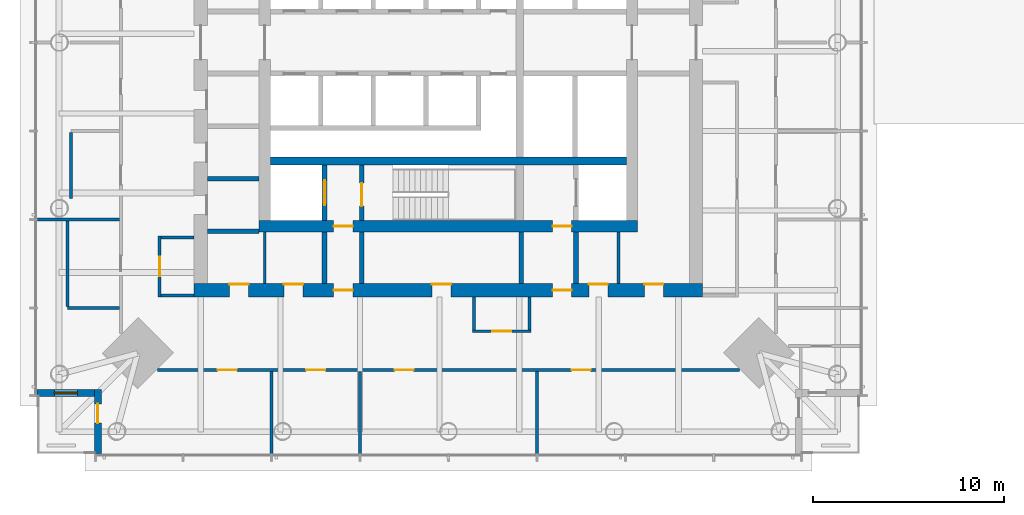
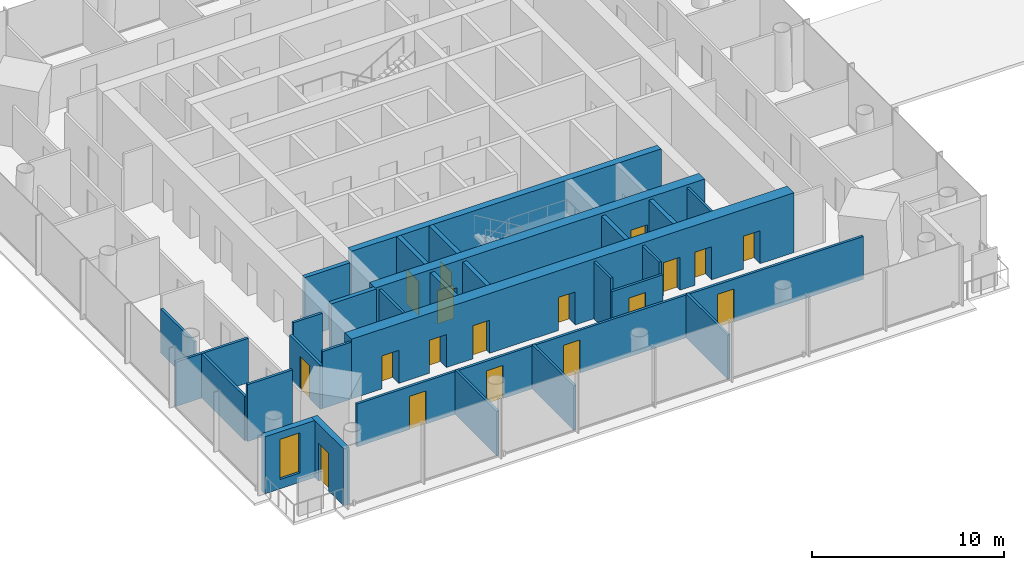
# One storey, part 5 of 16: 29 walls, 18 doors, 1 window, 19 openings.
"""IFC4 building model written with IfcOpenShell, lengths in metres."""

import ifcopenshell
import ifcopenshell.guid

model = None  # the IFC model being written
_history = None  # IfcOwnerHistory: only IFC2X3 demands one
_inside = {}  # id of a spatial element -> (the spatial element, [elements in it])
_under = {}  # id of a project, library or spatial element -> (it, [spatial elements below it])
_declared = {}  # id of a project -> (the project, [libraries it declares])
_typed = {}  # id of a type object -> (the type object, [elements of that type])
_made_of = {}  # id of a material, layer set ... -> (it, [elements and type objects made of it])


def new_model(schema):
    """Start an empty IFC model of exactly this schema.

    Asked for "IFC4X3", IfcOpenShell would pick the latest addendum, in which some entities
    have other attributes; the version numbers below select the first issue.
    IFC2X3 requires an IfcOwnerHistory on every rooted entity: one is made here for all.
    """
    global model, _history
    if schema == "IFC4X3":
        model = ifcopenshell.file(schema_version=(4, 3, 0, 0))
    else:
        model = ifcopenshell.file(schema=schema)
    _inside.clear()
    _under.clear()
    _declared.clear()
    _typed.clear()
    _made_of.clear()
    _history = None
    if model.schema == "IFC2X3":
        org = make("IfcOrganization", Name="unknown")
        user = make(
            "IfcPersonAndOrganization",
            ThePerson=make("IfcPerson", FamilyName="unknown"),
            TheOrganization=org,
        )
        app = make(
            "IfcApplication",
            ApplicationDeveloper=org,
            Version="unknown",
            ApplicationFullName="unknown",
            ApplicationIdentifier="unknown",
        )
        _history = make(
            "IfcOwnerHistory",
            OwningUser=user,
            OwningApplication=app,
            ChangeAction="ADDED",
            CreationDate=0,
        )
    return model


def make(cls, **values):
    """One entity of the class cls with the attributes given. An attribute that is None is left unset."""
    return model.create_entity(
        cls, **{name: value for name, value in values.items() if value is not None}
    )


def rooted(cls, **values):
    """An entity with a GlobalId (a new one), such as an element, a storey or a relation."""
    return make(cls, GlobalId=ifcopenshell.guid.new(), OwnerHistory=_history, **values)


def si_unit(unit_type, name, prefix=None):
    """IfcSIUnit, for example si_unit("LENGTHUNIT", "METRE", prefix="MILLI")."""
    return make("IfcSIUnit", UnitType=unit_type, Prefix=prefix, Name=name)


def assignment(units):
    """IfcUnitAssignment: the units of a project."""
    return None if units is None else make("IfcUnitAssignment", Units=units)


def point(xyz):
    """IfcCartesianPoint."""
    return None if xyz is None else make("IfcCartesianPoint", Coordinates=xyz)


def direction(xyz):
    """IfcDirection."""
    return None if xyz is None else make("IfcDirection", DirectionRatios=xyz)


def frame(location, z_axis=None, x_axis=None):
    """IfcAxis2Placement3D, a coordinate frame: its origin and axes. An axis left out is left unset."""
    return make(
        "IfcAxis2Placement3D",
        Location=point(location),
        Axis=direction(z_axis),
        RefDirection=direction(x_axis),
    )


def frame_2d(location, x_axis=None):
    """IfcAxis2Placement2D, a coordinate frame in the plane: its origin and x axis."""
    return make(
        "IfcAxis2Placement2D", Location=point(location), RefDirection=direction(x_axis)
    )


def origin():
    """The frame at (0, 0, 0) with its axes left unset."""
    return frame((0.0, 0.0, 0.0))


def place(relative_to, where):
    """IfcLocalPlacement: puts the frame where relative to a parent placement (None: the world)."""
    return make(
        "IfcLocalPlacement", PlacementRelTo=relative_to, RelativePlacement=where
    )


def context(
    kind, dimensions, precision=None, world=None, true_north=None, identifier=None
):
    """IfcGeometricRepresentationContext, for example the 3D "Model" context."""
    return make(
        "IfcGeometricRepresentationContext",
        ContextIdentifier=identifier,
        ContextType=kind,
        CoordinateSpaceDimension=dimensions,
        Precision=precision,
        WorldCoordinateSystem=world,
        TrueNorth=true_north,
    )


def subcontext(parent, identifier, kind, view, scale=None):
    """IfcGeometricRepresentationSubContext, for example "Body" below "Model"."""
    return make(
        "IfcGeometricRepresentationSubContext",
        ContextIdentifier=identifier,
        ContextType=kind,
        ParentContext=parent,
        TargetScale=scale,
        TargetView=view,
    )


def project(units=None, contexts=None):
    """IfcProject with its units and contexts."""
    return rooted(
        "IfcProject",
        Name="project",
        RepresentationContexts=contexts,
        UnitsInContext=assignment(units),
    )


def spatial(cls, under=None, at=None, **own):
    """A site, building, storey or space (cls), placed at a placement, below another one or the project."""
    s = rooted(cls, ObjectPlacement=at, **own)
    if under is not None:
        _under.setdefault(under.id(), (under, []))[1].append(s)
    return s


def profile(cls, at=None, kind="AREA", **sizes):
    """A parametric profile (cls). Its sizes go by their IFC names, for example OverallWidth=200.0."""
    return make(cls, ProfileType=kind, Position=at, **sizes)


def rectangle(**sizes):
    """IfcRectangleProfileDef."""
    return profile("IfcRectangleProfileDef", **sizes)


def extrude(swept, where, along, depth):
    """IfcExtrudedAreaSolid: the profile swept, set in the frame where, extruded along a direction by depth."""
    return make(
        "IfcExtrudedAreaSolid",
        SweptArea=swept,
        Position=where,
        ExtrudedDirection=direction(along),
        Depth=depth,
    )


def shape(context_of_items, identifier, shape_type, items):
    """IfcShapeRepresentation: the items that make up one representation, for example the "Body"."""
    return make(
        "IfcShapeRepresentation",
        ContextOfItems=context_of_items,
        RepresentationIdentifier=identifier,
        RepresentationType=shape_type,
        Items=items,
    )


def material(Name=None, Category=None):
    """IfcMaterial."""
    return make("IfcMaterial", Name=Name, Category=Category)


def layer(
    of_material, thickness, ventilated=None, Name=None, Category=None, Priority=None
):
    """IfcMaterialLayer: one layer of a wall or slab, of a material (None: an air gap)."""
    return make(
        "IfcMaterialLayer",
        Material=of_material,
        LayerThickness=thickness,
        IsVentilated=ventilated,
        Name=Name,
        Category=Category,
        Priority=Priority,
    )


def layer_set(layers, Name=None):
    """IfcMaterialLayerSet."""
    return make("IfcMaterialLayerSet", MaterialLayers=layers, LayerSetName=Name)


def made_of(thing, what):
    """Note that an element or type object is made of a material, layer set ...; save() writes the relation."""
    if what is not None:
        _made_of.setdefault(what.id(), (what, []))[1].append(thing)
    return thing


def type_object(cls, material=None, **own):
    """A type object (cls), such as IfcWallType, which elements share."""
    return made_of(rooted(cls, **own), material)


def element(
    cls,
    number,
    at=None,
    inside=None,
    cuts=None,
    type_object=None,
    material=None,
    context=None,
    identifier="Body",
    shape_type=None,
    held_by="IfcProductDefinitionShape",
    body=None,
    shapes=None,
    **own,
):
    """One element of the class cls, such as IfcWall. Its Tag is "e" and its number.

    at: its placement. inside: the storey or other place that contains it. cuts: it is an
    opening in that element (IfcRelVoidsElement). A single representation is given by context,
    identifier, shape_type and body (its items); several are given by shapes. held_by: the class
    of the entity that holds the representations. save() writes the other relations.
    """
    e = rooted(cls, Tag="e%d" % number, ObjectPlacement=at, **own)
    if body is not None:
        shapes = [shape(context, identifier, shape_type, body)]
    if shapes is not None:
        e.Representation = make(held_by, Representations=shapes)
    if inside is not None:
        _inside.setdefault(inside.id(), (inside, []))[1].append(e)
    if cuts is not None:
        rooted(
            "IfcRelVoidsElement", RelatingBuildingElement=cuts, RelatedOpeningElement=e
        )
    if type_object is not None:
        _typed.setdefault(type_object.id(), (type_object, []))[1].append(e)
    return made_of(e, material)


def fill(opening, filler):
    """IfcRelFillsElement: the door or window that sits in an opening."""
    return rooted(
        "IfcRelFillsElement",
        RelatingOpeningElement=opening,
        RelatedBuildingElement=filler,
    )


def aggregate(whole, parts):
    """IfcRelAggregates: a whole, such as a stair, and the parts it consists of."""
    return rooted("IfcRelAggregates", RelatingObject=whole, RelatedObjects=parts)


def save(model, path):
    """Write the relations noted so far, then the file.

    IfcRelAggregates (storeys below a building ...), IfcRelContainedInSpatialStructure (elements
    in a storey), IfcRelDefinesByType, IfcRelAssociatesMaterial and IfcRelDeclares: one each for
    every whole, place, type object, material and project.
    """
    for whole, parts in _under.values():
        aggregate(whole, parts)
    for where, things in _inside.values():
        rooted(
            "IfcRelContainedInSpatialStructure",
            RelatedElements=things,
            RelatingStructure=where,
        )
    for kind, things in _typed.values():
        rooted("IfcRelDefinesByType", RelatedObjects=things, RelatingType=kind)
    for what, things in _made_of.values():
        rooted("IfcRelAssociatesMaterial", RelatedObjects=things, RelatingMaterial=what)
    for by, libraries in _declared.values():
        rooted("IfcRelDeclares", RelatingContext=by, RelatedDefinitions=libraries)
    model.write(path)


model = new_model("IFC4")

# Units and contexts
model_context = context("Model", 3, precision=1e-05, world=origin(), true_north=direction((0.0, 1.0)))
body_context = subcontext(model_context, "Body", "Model", "MODEL_VIEW")
ifc_project = project(units=[si_unit("LENGTHUNIT", "METRE"), si_unit("AREAUNIT", "SQUARE_METRE"), si_unit("VOLUMEUNIT", "CUBIC_METRE"), si_unit("PLANEANGLEUNIT", "RADIAN"), si_unit("MASSUNIT", "GRAM", prefix="KILO")], contexts=[model_context])

# Site, building, storey
site_placement = place(None, origin())
site = spatial("IfcSite", under=ifc_project, at=site_placement, CompositionType="ELEMENT")
building_placement = place(site_placement, origin())
building = spatial("IfcBuilding", under=site, at=building_placement, Name="Ostroluk Exchange", CompositionType="ELEMENT")
storey_placement = place(building_placement, frame((0.0, 0.0, 135.0)))
storey = spatial("IfcBuildingStorey", under=building, at=storey_placement, Name="L34", CompositionType="ELEMENT", Elevation=135.0)

# Walls
ifc_material_1 = material(Name="Concrete blockwork", Category="masonry")
ifc_layer_1 = layer(ifc_material_1, 0.14990234375)
ifc_layer_set_1 = layer_set([ifc_layer_1], Name="Blockwork plant room wall 150")
wall_type_1 = type_object("IfcWallType", Name="Blockwork plant room wall 150", PredefinedType="SOLIDWALL", material=ifc_layer_set_1)
for number, where, z_axis, x_axis, name in (
    (1, (35.39990234375, 33.39990234375, 0.0), (0.0, 0.0, 1.0), (0.0, 1.0, 0.0), "Core room wall"),
    (2, (53.887939453125, 33.39990234375, 0.0), (0.0, 0.0, 1.0), (0.0, 1.0, 0.0), "Core room wall"),
):
    element("IfcWall", number, at=place(storey_placement, frame(where, z_axis=z_axis, x_axis=x_axis)), inside=storey, type_object=wall_type_1, Name=name, PredefinedType="SOLIDWALL", context=body_context, shape_type="SweptSolid", body=[
        extrude(rectangle(XDim=2.7001953125, YDim=0.14990234375, at=frame_2d((1.35009765625, 0.0))), origin(), (0.0, 0.0, 1.0), 3.6201171875),
    ])
ifc_material_2 = material(Name="Concrete blockwork", Category="masonry")
ifc_layer_2 = layer(ifc_material_2, 0.25)
ifc_layer_set_2 = layer_set([ifc_layer_2], Name="Blockwork stair enclosure wall 250")
wall_type_2 = type_object("IfcWallType", Name="Blockwork stair enclosure wall 250", PredefinedType="SOLIDWALL", material=ifc_layer_set_2)
for number, where, z_axis, x_axis, name in (
    (3, (38.52490234375, 33.39990234375, 0.0), (0.0, 0.0, 1.0), (0.0, 1.0, 0.0), "Fire lobby enclosure wall"),
    (4, (40.47509765625, 33.39990234375, 0.0), (0.0, 0.0, 1.0), (0.0, 1.0, 0.0), "Fire lobby enclosure wall"),
    (5, (48.804931640625, 33.39990234375, 0.0), (0.0, 0.0, 1.0), (0.0, 1.0, 0.0), "Service lobby enclosure wall"),
    (6, (51.675048828125, 33.39990234375, 0.0), (0.0, 0.0, 1.0), (0.0, 1.0, 0.0), "Service lobby enclosure wall"),
):
    element("IfcWall", number, at=place(storey_placement, frame(where, z_axis=z_axis, x_axis=x_axis)), inside=storey, type_object=wall_type_2, Name=name, PredefinedType="SOLIDWALL", context=body_context, shape_type="SweptSolid", body=[
        extrude(rectangle(XDim=2.7001953125, YDim=0.25, at=frame_2d((1.35009765625, 0.0))), origin(), (0.0, 0.0, 1.0), 3.6201171875),
    ])
ifc_material_3 = material(Name="Concrete C50/60", Category="concrete")
ifc_layer_3 = layer(ifc_material_3, 0.39990234375)
ifc_layer_set_3 = layer_set([ifc_layer_3], Name="Core cross wall 400 C50/60")
wall_type_3 = type_object("IfcWallType", Name="Core cross wall 400 C50/60", PredefinedType="SHEAR", material=ifc_layer_set_3)
wall_1_placement = place(storey_placement, frame((35.699951171875, 39.800048828125, 0.0), z_axis=(0.0, 0.0, 1.0), x_axis=(1.0, 0.0, 0.0)))
element("IfcWall", 7, at=wall_1_placement, inside=storey, type_object=wall_type_3, Name="T1 core wall XS", PredefinedType="SHEAR", context=body_context, shape_type="SweptSolid", body=[
    extrude(rectangle(XDim=18.60009765625, YDim=0.39990234375, at=frame_2d((9.300048828125, 0.0))), origin(), (0.0, 0.0, 1.0), 3.800048828125),
])

# Wall, opening, door
ifc_material_4 = material(Name="Concrete C40/50", Category="concrete")
ifc_layer_4 = layer(ifc_material_4, 0.25)
ifc_layer_set_4 = layer_set([ifc_layer_4], Name="Core shaft wall 250")
wall_type_4 = type_object("IfcWallType", Name="Core shaft wall 250", PredefinedType="SHEAR", material=ifc_layer_set_4)
wall_2_placement = place(storey_placement, frame((38.52490234375, 36.699951171875, 0.0), z_axis=(0.0, 0.0, 1.0), x_axis=(0.0, 1.0, 0.0)))
wall_2 = element("IfcWall", 8, at=wall_2_placement, inside=storey, type_object=wall_type_4, Name="Firefighting lift shaft wall", PredefinedType="SHEAR", context=body_context, shape_type="SweptSolid", body=[
    extrude(rectangle(XDim=2.900146484375, YDim=0.25, at=frame_2d((1.4501953125, 0.0))), origin(), (0.0, 0.0, 1.0), 3.800048828125),
])
opening_1_placement = place(wall_2_placement, frame((0.800048828125, 0.0, 0.0)))
opening_1 = element("IfcOpeningElement", 9, at=opening_1_placement, cuts=wall_2, Name="Opening LD2", PredefinedType="OPENING", context=body_context, shape_type="SweptSolid", body=[
    extrude(rectangle(XDim=1.300048828125, YDim=2.199951171875, at=frame_2d((0.64990234375, 1.10009765625))), frame((0.0, 0.135009765625, 0.0), z_axis=(0.0, -1.0, 0.0), x_axis=(1.0, 0.0, 0.0)), (0.0, 0.0, 1.0), 0.27001953125),
])
ifc_material_5 = material(Name="Stainless steel", Category="steel")
door_type_1 = type_object("IfcDoorType", Name="Lift landing door E 60 1300 x 2200", OperationType="DOUBLE_DOOR_SLIDING", PredefinedType="DOOR", material=ifc_material_5)
door_1_placement = place(opening_1_placement, origin())
door_1 = element("IfcDoor", 10, at=door_1_placement, inside=storey, type_object=door_type_1, Name="Lift FL1 landing door", OperationType="DOUBLE_DOOR_SLIDING", OverallHeight=2.199951171875, OverallWidth=1.300048828125, PredefinedType="DOOR", context=body_context, shape_type="SweptSolid", body=[
    extrude(rectangle(XDim=1.300048828125, YDim=2.199951171875, at=frame_2d((0.64990234375, 1.10009765625))), frame((0.0, 0.02490234375, 0.0), z_axis=(0.0, -1.0, 0.0), x_axis=(1.0, 0.0, 0.0)), (0.0, 0.0, 1.0), 0.050048828125),
])
fill(opening_1, door_1)

wall_3_placement = place(storey_placement, frame((40.47509765625, 36.699951171875, 0.0), z_axis=(0.0, 0.0, 1.0), x_axis=(0.0, 1.0, 0.0)))
wall_3 = element("IfcWall", 11, at=wall_3_placement, inside=storey, type_object=wall_type_4, Name="Stair shaft wall", PredefinedType="SHEAR", context=body_context, shape_type="SweptSolid", body=[
    extrude(rectangle(XDim=2.900146484375, YDim=0.25, at=frame_2d((1.4501953125, 0.0))), origin(), (0.0, 0.0, 1.0), 3.800048828125),
])
opening_2_placement = place(wall_3_placement, frame((0.75, 0.0, 0.0)))
opening_2 = element("IfcOpeningElement", 12, at=opening_2_placement, cuts=wall_3, Name="Opening FD60S", PredefinedType="OPENING", context=body_context, shape_type="SweptSolid", body=[
    extrude(rectangle(XDim=1.199951171875, YDim=2.10009765625, at=frame_2d((0.60009765625, 1.050048828125))), frame((0.0, 0.135009765625, 0.0), z_axis=(0.0, -1.0, 0.0), x_axis=(1.0, 0.0, 0.0)), (0.0, 0.0, 1.0), 0.27001953125),
])
ifc_material_6 = material(Name="Steel", Category="steel")
door_type_2 = type_object("IfcDoorType", Name="Stair door EI 60 1200 x 2100", OperationType="SINGLE_SWING_LEFT", PredefinedType="DOOR", material=ifc_material_6)
door_2_placement = place(opening_2_placement, origin())
door_2 = element("IfcDoor", 13, at=door_2_placement, inside=storey, type_object=door_type_2, Name="Stair T1-S1 door", OperationType="SINGLE_SWING_LEFT", OverallHeight=2.10009765625, OverallWidth=1.199951171875, PredefinedType="DOOR", context=body_context, shape_type="SweptSolid", body=[
    extrude(rectangle(XDim=1.199951171875, YDim=2.10009765625, at=frame_2d((0.60009765625, 1.050048828125))), frame((0.0, 0.02490234375, 0.0), z_axis=(0.0, -1.0, 0.0), x_axis=(1.0, 0.0, 0.0)), (0.0, 0.0, 1.0), 0.050048828125),
])
fill(opening_2, door_2)

# Walls
for number, where, z_axis, x_axis, name in (
    (14, (32.39990234375, 36.125, 0.0), (0.0, 0.0, 1.0), (1.0, 0.0, 0.0), "Lift shaft wall"),
    (15, (32.39990234375, 38.875, 0.0), (0.0, 0.0, 1.0), (1.0, 0.0, 0.0), "Lift shaft wall"),
):
    element("IfcWall", number, at=place(storey_placement, frame(where, z_axis=z_axis, x_axis=x_axis)), inside=storey, type_object=wall_type_4, Name=name, PredefinedType="SHEAR", context=body_context, shape_type="SweptSolid", body=[
        extrude(rectangle(XDim=2.7001953125, YDim=0.25, at=frame_2d((1.35009765625, 0.0))), origin(), (0.0, 0.0, 1.0), 3.800048828125),
    ])

# Wall, openings, doors
ifc_material_7 = material(Name="Concrete C50/60", Category="concrete")
ifc_layer_5 = layer(ifc_material_7, 0.60009765625)
ifc_layer_set_5 = layer_set([ifc_layer_5], Name="Core wall 600 C50/60")
wall_type_5 = type_object("IfcWallType", Name="Core wall 600 C50/60", PredefinedType="SHEAR", material=ifc_layer_set_5)
wall_4_placement = place(storey_placement, frame((35.10009765625, 36.39990234375, 0.0), z_axis=(0.0, 0.0, 1.0), x_axis=(1.0, 0.0, 0.0)))
wall_4 = element("IfcWall", 16, at=wall_4_placement, inside=storey, type_object=wall_type_5, Name="T1 core wall S", PredefinedType="SHEAR", context=body_context, shape_type="SweptSolid", body=[
    extrude(rectangle(XDim=19.7998046875, YDim=0.60009765625, at=frame_2d((9.89990234375, 0.0))), origin(), (0.0, 0.0, 1.0), 3.800048828125),
])
opening_3_placement = place(wall_4_placement, frame((3.89990234375, 0.0, 0.0)))
opening_3 = element("IfcOpeningElement", 17, at=opening_3_placement, cuts=wall_4, Name="Opening FD60", PredefinedType="OPENING", context=body_context, shape_type="SweptSolid", body=[
    extrude(rectangle(XDim=1.0, YDim=2.10009765625, at=frame_2d((0.5, 1.050048828125))), frame((0.0, 0.31005859375, 0.0), z_axis=(0.0, -1.0, 0.0), x_axis=(1.0, 0.0, 0.0)), (0.0, 0.0, 1.0), 0.6201171875),
])
opening_4_placement = place(wall_4_placement, frame((15.35009765625, 0.0, 0.0)))
opening_4 = element("IfcOpeningElement", 18, at=opening_4_placement, cuts=wall_4, Name="Opening FD60", PredefinedType="OPENING", context=body_context, shape_type="SweptSolid", body=[
    extrude(rectangle(XDim=1.0, YDim=2.10009765625, at=frame_2d((0.5, 1.050048828125))), frame((0.0, 0.31005859375, 0.0), z_axis=(0.0, -1.0, 0.0), x_axis=(1.0, 0.0, 0.0)), (0.0, 0.0, 1.0), 0.6201171875),
])
ifc_material_8 = material(Name="Steel", Category="steel")
door_type_3 = type_object("IfcDoorType", Name="Fire door EI 60 1000 x 2100", OperationType="SINGLE_SWING_LEFT", PredefinedType="DOOR", material=ifc_material_8)
door_3_placement = place(opening_3_placement, origin())
door_3 = element("IfcDoor", 19, at=door_3_placement, inside=storey, type_object=door_type_3, Name="Firefighting lobby door", OperationType="SINGLE_SWING_LEFT", OverallHeight=2.10009765625, OverallWidth=1.0, PredefinedType="DOOR", context=body_context, shape_type="SweptSolid", body=[
    extrude(rectangle(XDim=1.0, YDim=2.10009765625, at=frame_2d((0.5, 1.050048828125))), frame((0.0, 0.02490234375, 0.0), z_axis=(0.0, -1.0, 0.0), x_axis=(1.0, 0.0, 0.0)), (0.0, 0.0, 1.0), 0.050048828125),
])
fill(opening_3, door_3)
door_4_placement = place(opening_4_placement, origin())
door_4 = element("IfcDoor", 20, at=door_4_placement, inside=storey, type_object=door_type_3, Name="Service lobby door", OperationType="SINGLE_SWING_RIGHT", OverallHeight=2.10009765625, OverallWidth=1.0, PredefinedType="DOOR", context=body_context, shape_type="SweptSolid", body=[
    extrude(rectangle(XDim=1.0, YDim=2.10009765625, at=frame_2d((0.5, 1.050048828125))), frame((0.0, 0.02490234375, 0.0), z_axis=(0.0, -1.0, 0.0), x_axis=(1.0, 0.0, 0.0)), (0.0, 0.0, 1.0), 0.050048828125),
])
fill(opening_4, door_4)

ifc_material_9 = material(Name="Concrete C50/60", Category="concrete")
ifc_layer_6 = layer(ifc_material_9, 0.699951171875)
ifc_layer_set_6 = layer_set([ifc_layer_6], Name="Core wall 700 C50/60")
wall_type_6 = type_object("IfcWallType", Name="Core wall 700 C50/60", PredefinedType="SHEAR", material=ifc_layer_set_6)
wall_5_placement = place(storey_placement, frame((31.699951171875, 33.050048828125, 0.0), z_axis=(0.0, 0.0, 1.0), x_axis=(1.0, 0.0, 0.0)))
wall_5 = element("IfcWall", 21, at=wall_5_placement, inside=storey, type_object=wall_type_6, Name="T1 core wall RS", PredefinedType="SHEAR", context=body_context, shape_type="SweptSolid", body=[
    extrude(rectangle(XDim=26.60009765625, YDim=0.699951171875, at=frame_2d((13.300048828125, 0.0))), origin(), (0.0, 0.0, 1.0), 3.800048828125),
])
opening_5_placement = place(wall_5_placement, frame((7.300048828125, 0.0, 0.0)))
opening_5 = element("IfcOpeningElement", 22, at=opening_5_placement, cuts=wall_5, Name="Opening FD60", PredefinedType="OPENING", context=body_context, shape_type="SweptSolid", body=[
    extrude(rectangle(XDim=1.0, YDim=2.10009765625, at=frame_2d((0.5, 1.050048828125))), frame((0.0, 0.35986328125, 0.0), z_axis=(0.0, -1.0, 0.0), x_axis=(1.0, 0.0, 0.0)), (0.0, 0.0, 1.0), 0.719970703125),
])
opening_6_placement = place(wall_5_placement, frame((18.75, 0.0, 0.0)))
opening_6 = element("IfcOpeningElement", 23, at=opening_6_placement, cuts=wall_5, Name="Opening FD60", PredefinedType="OPENING", context=body_context, shape_type="SweptSolid", body=[
    extrude(rectangle(XDim=1.0, YDim=2.10009765625, at=frame_2d((0.5, 1.050048828125))), frame((0.0, 0.35986328125, 0.0), z_axis=(0.0, -1.0, 0.0), x_axis=(1.0, 0.0, 0.0)), (0.0, 0.0, 1.0), 0.719970703125),
])
opening_7_placement = place(wall_5_placement, frame((1.85009765625, 0.0, 0.0)))
opening_7 = element("IfcOpeningElement", 24, at=opening_7_placement, cuts=wall_5, Name="Opening FD60", PredefinedType="OPENING", context=body_context, shape_type="SweptSolid", body=[
    extrude(rectangle(XDim=1.0, YDim=2.10009765625, at=frame_2d((0.5, 1.050048828125))), frame((0.0, 0.35986328125, 0.0), z_axis=(0.0, -1.0, 0.0), x_axis=(1.0, 0.0, 0.0)), (0.0, 0.0, 1.0), 0.719970703125),
])
opening_8_placement = place(wall_5_placement, frame((4.699951171875, 0.0, 0.0)))
opening_8 = element("IfcOpeningElement", 25, at=opening_8_placement, cuts=wall_5, Name="Opening FD60", PredefinedType="OPENING", context=body_context, shape_type="SweptSolid", body=[
    extrude(rectangle(XDim=1.0, YDim=2.10009765625, at=frame_2d((0.5, 1.050048828125))), frame((0.0, 0.35986328125, 0.0), z_axis=(0.0, -1.0, 0.0), x_axis=(1.0, 0.0, 0.0)), (0.0, 0.0, 1.0), 0.719970703125),
])
opening_9_placement = place(wall_5_placement, frame((12.43994140625, 0.0, 0.0)))
opening_9 = element("IfcOpeningElement", 26, at=opening_9_placement, cuts=wall_5, Name="Opening FD60", PredefinedType="OPENING", context=body_context, shape_type="SweptSolid", body=[
    extrude(rectangle(XDim=1.0, YDim=2.10009765625, at=frame_2d((0.5, 1.050048828125))), frame((0.0, 0.35986328125, 0.0), z_axis=(0.0, -1.0, 0.0), x_axis=(1.0, 0.0, 0.0)), (0.0, 0.0, 1.0), 0.719970703125),
])
opening_10_placement = place(wall_5_placement, frame((20.64404296875, 0.0, 0.0)))
opening_10 = element("IfcOpeningElement", 27, at=opening_10_placement, cuts=wall_5, Name="Opening FD60", PredefinedType="OPENING", context=body_context, shape_type="SweptSolid", body=[
    extrude(rectangle(XDim=1.0, YDim=2.10009765625, at=frame_2d((0.5, 1.050048828125))), frame((0.0, 0.35986328125, 0.0), z_axis=(0.0, -1.0, 0.0), x_axis=(1.0, 0.0, 0.0)), (0.0, 0.0, 1.0), 0.719970703125),
])
opening_11_placement = place(wall_5_placement, frame((23.5439453125, 0.0, 0.0)))
opening_11 = element("IfcOpeningElement", 28, at=opening_11_placement, cuts=wall_5, Name="Opening FD60", PredefinedType="OPENING", context=body_context, shape_type="SweptSolid", body=[
    extrude(rectangle(XDim=1.0, YDim=2.10009765625, at=frame_2d((0.5, 1.050048828125))), frame((0.0, 0.35986328125, 0.0), z_axis=(0.0, -1.0, 0.0), x_axis=(1.0, 0.0, 0.0)), (0.0, 0.0, 1.0), 0.719970703125),
])
door_5_placement = place(opening_5_placement, origin())
door_5 = element("IfcDoor", 29, at=door_5_placement, inside=storey, type_object=door_type_3, Name="Firefighting lobby door", OperationType="SINGLE_SWING_LEFT", OverallHeight=2.10009765625, OverallWidth=1.0, PredefinedType="DOOR", context=body_context, shape_type="SweptSolid", body=[
    extrude(rectangle(XDim=1.0, YDim=2.10009765625, at=frame_2d((0.5, 1.050048828125))), frame((0.0, 0.02490234375, 0.0), z_axis=(0.0, -1.0, 0.0), x_axis=(1.0, 0.0, 0.0)), (0.0, 0.0, 1.0), 0.050048828125),
])
fill(opening_5, door_5)
door_6_placement = place(opening_6_placement, origin())
door_6 = element("IfcDoor", 30, at=door_6_placement, inside=storey, type_object=door_type_3, Name="Service lobby door", OperationType="SINGLE_SWING_RIGHT", OverallHeight=2.10009765625, OverallWidth=1.0, PredefinedType="DOOR", context=body_context, shape_type="SweptSolid", body=[
    extrude(rectangle(XDim=1.0, YDim=2.10009765625, at=frame_2d((0.5, 1.050048828125))), frame((0.0, 0.02490234375, 0.0), z_axis=(0.0, -1.0, 0.0), x_axis=(1.0, 0.0, 0.0)), (0.0, 0.0, 1.0), 0.050048828125),
])
fill(opening_6, door_6)
door_7_placement = place(opening_7_placement, origin())
door_7 = element("IfcDoor", 31, at=door_7_placement, inside=storey, type_object=door_type_3, Name="Archive door", OperationType="SINGLE_SWING_LEFT", OverallHeight=2.10009765625, OverallWidth=1.0, PredefinedType="DOOR", context=body_context, shape_type="SweptSolid", body=[
    extrude(rectangle(XDim=1.0, YDim=2.10009765625, at=frame_2d((0.5, 1.050048828125))), frame((0.0, 0.33984375, 0.0), z_axis=(0.0, -1.0, 0.0), x_axis=(1.0, 0.0, 0.0)), (0.0, 0.0, 1.0), 0.050048828125),
])
fill(opening_7, door_7)
door_8_placement = place(opening_8_placement, origin())
door_8 = element("IfcDoor", 32, at=door_8_placement, inside=storey, type_object=door_type_3, Name="Tenant IT room door", OperationType="SINGLE_SWING_LEFT", OverallHeight=2.10009765625, OverallWidth=1.0, PredefinedType="DOOR", context=body_context, shape_type="SweptSolid", body=[
    extrude(rectangle(XDim=1.0, YDim=2.10009765625, at=frame_2d((0.5, 1.050048828125))), frame((0.0, 0.33984375, 0.0), z_axis=(0.0, -1.0, 0.0), x_axis=(1.0, 0.0, 0.0)), (0.0, 0.0, 1.0), 0.050048828125),
])
fill(opening_8, door_8)
door_9_placement = place(opening_9_placement, origin())
door_9 = element("IfcDoor", 33, at=door_9_placement, inside=storey, type_object=door_type_3, Name="Tea point door", OperationType="SINGLE_SWING_LEFT", OverallHeight=2.10009765625, OverallWidth=1.0, PredefinedType="DOOR", context=body_context, shape_type="SweptSolid", body=[
    extrude(rectangle(XDim=1.0, YDim=2.10009765625, at=frame_2d((0.5, 1.050048828125))), frame((0.0, 0.33984375, 0.0), z_axis=(0.0, -1.0, 0.0), x_axis=(1.0, 0.0, 0.0)), (0.0, 0.0, 1.0), 0.050048828125),
])
fill(opening_9, door_9)
door_10_placement = place(opening_10_placement, origin())
door_10 = element("IfcDoor", 34, at=door_10_placement, inside=storey, type_object=door_type_3, Name="Comms room door", OperationType="SINGLE_SWING_RIGHT", OverallHeight=2.10009765625, OverallWidth=1.0, PredefinedType="DOOR", context=body_context, shape_type="SweptSolid", body=[
    extrude(rectangle(XDim=1.0, YDim=2.10009765625, at=frame_2d((0.5, 1.050048828125))), frame((0.0, 0.33984375, 0.0), z_axis=(0.0, -1.0, 0.0), x_axis=(1.0, 0.0, 0.0)), (0.0, 0.0, 1.0), 0.050048828125),
])
fill(opening_10, door_10)
door_11_placement = place(opening_11_placement, origin())
door_11 = element("IfcDoor", 35, at=door_11_placement, inside=storey, type_object=door_type_3, Name="First aid room door", OperationType="SINGLE_SWING_RIGHT", OverallHeight=2.10009765625, OverallWidth=1.0, PredefinedType="DOOR", context=body_context, shape_type="SweptSolid", body=[
    extrude(rectangle(XDim=1.0, YDim=2.10009765625, at=frame_2d((0.5, 1.050048828125))), frame((0.0, 0.33984375, 0.0), z_axis=(0.0, -1.0, 0.0), x_axis=(1.0, 0.0, 0.0)), (0.0, 0.0, 1.0), 0.050048828125),
])
fill(opening_11, door_11)

# Wall, opening, door
ifc_material_10 = material(Name="Limestone", Category="masonry")
ifc_layer_7 = layer(ifc_material_10, 0.35009765625)
ifc_layer_set_7 = layer_set([ifc_layer_7], Name="Limestone facade wall 350")
wall_type_7 = type_object("IfcWallType", Name="Limestone facade wall 350", PredefinedType="SOLIDWALL", material=ifc_layer_set_7)
wall_6_placement = place(storey_placement, frame((26.675048828125, 24.5, 0.0), z_axis=(0.0, 0.0, 1.0), x_axis=(0.0, 1.0, 0.0)))
wall_6 = element("IfcWall", 36, at=wall_6_placement, inside=storey, type_object=wall_type_7, Name="Office tower SW corner wall L34 a", PredefinedType="SOLIDWALL", context=body_context, shape_type="SweptSolid", body=[
    extrude(rectangle(XDim=3.35009765625, YDim=0.35009765625, at=frame_2d((1.675048828125, 0.0))), origin(), (0.0, 0.0, 1.0), 3.6201171875),
])
opening_12_placement = place(wall_6_placement, frame((1.60009765625, 0.0, 0.0)))
opening_12 = element("IfcOpeningElement", 37, at=opening_12_placement, cuts=wall_6, Name="Opening D-B1", PredefinedType="OPENING", context=body_context, shape_type="SweptSolid", body=[
    extrude(rectangle(XDim=1.0, YDim=2.39990234375, at=frame_2d((0.5, 1.199951171875))), frame((0.0, 0.18505859375, 0.0), z_axis=(0.0, -1.0, 0.0), x_axis=(1.0, 0.0, 0.0)), (0.0, 0.0, 1.0), 0.3701171875),
])
ifc_material_11 = material(Name="Bronze framed glazed door", Category="aluminium")
door_type_4 = type_object("IfcDoorType", Name="Balcony door 1000 x 2400", OperationType="SINGLE_SWING_LEFT", PredefinedType="DOOR", material=ifc_material_11)
door_12_placement = place(opening_12_placement, origin())
door_12 = element("IfcDoor", 38, at=door_12_placement, inside=storey, type_object=door_type_4, Name="Office tower SW balcony door L34", OperationType="SINGLE_SWING_RIGHT", OverallHeight=2.39990234375, OverallWidth=1.0, PredefinedType="DOOR", context=body_context, shape_type="SweptSolid", body=[
    extrude(rectangle(XDim=1.0, YDim=2.39990234375, at=frame_2d((0.5, 1.199951171875))), frame((0.0, 0.02490234375, 0.0), z_axis=(0.0, -1.0, 0.0), x_axis=(1.0, 0.0, 0.0)), (0.0, 0.0, 1.0), 0.050048828125),
])
fill(opening_12, door_12)

# Wall, opening, window
wall_7_placement = place(storey_placement, frame((26.5, 27.675048828125, 0.0), z_axis=(0.0, 0.0, 1.0), x_axis=(-1.0, 0.0, 0.0)))
wall_7 = element("IfcWall", 39, at=wall_7_placement, inside=storey, type_object=wall_type_7, Name="Office tower SW corner wall L34 b", PredefinedType="SOLIDWALL", context=body_context, shape_type="SweptSolid", body=[
    extrude(rectangle(XDim=3.0, YDim=0.35009765625, at=frame_2d((1.5, 0.0))), origin(), (0.0, 0.0, 1.0), 3.6201171875),
])
opening_13_placement = place(wall_7_placement, frame((0.89990234375, 0.0, 0.60009765625)))
opening_13 = element("IfcOpeningElement", 40, at=opening_13_placement, cuts=wall_7, Name="Opening WN-L1", PredefinedType="OPENING", context=body_context, shape_type="SweptSolid", body=[
    extrude(rectangle(XDim=1.199951171875, YDim=2.550048828125, at=frame_2d((0.60009765625, 1.27490234375))), frame((0.0, 0.18505859375, 0.0), z_axis=(0.0, -1.0, 0.0), x_axis=(1.0, 0.0, 0.0)), (0.0, 0.0, 1.0), 0.3701171875),
])
ifc_material_12 = material(Name="Laminated clear glass", Category="glass")
window_type = type_object("IfcWindowType", Name="Lancet window 1200 x 2550", PartitioningType="SINGLE_PANEL", PredefinedType="WINDOW", material=ifc_material_12)
window_placement = place(opening_13_placement, origin())
window = element("IfcWindow", 41, at=window_placement, inside=storey, type_object=window_type, Name="Office tower SW lancet window L34", OverallHeight=2.550048828125, OverallWidth=1.199951171875, PartitioningType="SINGLE_PANEL", PredefinedType="WINDOW", context=body_context, shape_type="SweptSolid", body=[
    extrude(rectangle(XDim=1.199951171875, YDim=2.550048828125, at=frame_2d((0.60009765625, 1.27490234375))), frame((0.0, 0.030029296875, 0.0), z_axis=(0.0, -1.0, 0.0), x_axis=(1.0, 0.0, 0.0)), (0.0, 0.0, 1.0), 0.06005859375),
])
fill(opening_13, window)

# Wall, opening, door
ifc_material_13 = material(Name="Gypsum plasterboard partition", Category="gypsum")
ifc_layer_8 = layer(ifc_material_13, 0.14990234375)
ifc_layer_set_8 = layer_set([ifc_layer_8], Name="Plasterboard partition 150")
wall_type_8 = type_object("IfcWallType", Name="Plasterboard partition 150", PredefinedType="PARTITIONING", material=ifc_layer_set_8)
wall_8_placement = place(storey_placement, frame((29.89990234375, 35.875, 0.0), z_axis=(0.0, 0.0, 1.0), x_axis=(0.0, -1.0, 0.0)))
wall_8 = element("IfcWall", 42, at=wall_8_placement, inside=storey, type_object=wall_type_8, Name="Partition", PredefinedType="PARTITIONING", context=body_context, shape_type="SweptSolid", body=[
    extrude(rectangle(XDim=3.175048828125, YDim=0.14990234375, at=frame_2d((1.58740234375, 0.0))), origin(), (0.0, 0.0, 1.0), 2.805908203125),
])
opening_14_placement = place(wall_8_placement, frame((1.08740234375, 0.0, 0.0)))
opening_14 = element("IfcOpeningElement", 43, at=opening_14_placement, cuts=wall_8, Name="Opening D-03", PredefinedType="OPENING", context=body_context, shape_type="SweptSolid", body=[
    extrude(rectangle(XDim=1.0, YDim=2.10009765625, at=frame_2d((0.5, 1.050048828125))), frame((0.0, 0.0849609375, 0.0), z_axis=(0.0, -1.0, 0.0), x_axis=(1.0, 0.0, 0.0)), (0.0, 0.0, 1.0), 0.169921875),
])
ifc_material_14 = material(Name="Timber", Category="wood")
door_type_5 = type_object("IfcDoorType", Name="Internal door 1000 x 2100", OperationType="SINGLE_SWING_LEFT", PredefinedType="DOOR", material=ifc_material_14)
door_13_placement = place(opening_14_placement, origin())
door_13 = element("IfcDoor", 44, at=door_13_placement, inside=storey, type_object=door_type_5, Name="Quiet room door", OperationType="SINGLE_SWING_RIGHT", OverallHeight=2.10009765625, OverallWidth=1.0, PredefinedType="DOOR", context=body_context, shape_type="SweptSolid", body=[
    extrude(rectangle(XDim=1.0, YDim=2.10009765625, at=frame_2d((0.5, 1.050048828125))), frame((0.0, 0.02490234375, 0.0), z_axis=(0.0, -1.0, 0.0), x_axis=(1.0, 0.0, 0.0)), (0.0, 0.0, 1.0), 0.050048828125),
])
fill(opening_14, door_13)

# Walls
for number, where, z_axis, x_axis, name in (
    (45, (31.699951171875, 35.800048828125, 0.0), (0.0, 0.0, 1.0), (-1.0, 0.0, 0.0), "Partition"),
    (46, (31.699951171875, 32.77490234375, 0.0), (0.0, 0.0, 1.0), (-1.0, 0.0, 0.0), "Partition"),
):
    element("IfcWall", number, at=place(storey_placement, frame(where, z_axis=z_axis, x_axis=x_axis)), inside=storey, type_object=wall_type_8, Name=name, PredefinedType="PARTITIONING", context=body_context, shape_type="SweptSolid", body=[
        extrude(rectangle(XDim=1.724853515625, YDim=0.14990234375, at=frame_2d((0.8623046875, 0.0))), origin(), (0.0, 0.0, 1.0), 3.6201171875),
    ])

# Wall, opening, door
wall_9_placement = place(storey_placement, frame((46.264892578125, 30.89990234375, 0.0), z_axis=(0.0, 0.0, 1.0), x_axis=(1.0, 0.0, 0.0)))
wall_9 = element("IfcWall", 47, at=wall_9_placement, inside=storey, type_object=wall_type_8, Name="Partition", PredefinedType="PARTITIONING", context=body_context, shape_type="SweptSolid", body=[
    extrude(rectangle(XDim=3.06005859375, YDim=0.14990234375, at=frame_2d((1.530029296875, 0.0))), origin(), (0.0, 0.0, 1.0), 2.85791015625),
])
opening_15_placement = place(wall_9_placement, frame((1.030029296875, 0.0, 0.0)))
opening_15 = element("IfcOpeningElement", 48, at=opening_15_placement, cuts=wall_9, Name="Opening D-03", PredefinedType="OPENING", context=body_context, shape_type="SweptSolid", body=[
    extrude(rectangle(XDim=1.0, YDim=2.10009765625, at=frame_2d((0.5, 1.050048828125))), frame((0.0, 0.0849609375, 0.0), z_axis=(0.0, -1.0, 0.0), x_axis=(1.0, 0.0, 0.0)), (0.0, 0.0, 1.0), 0.169921875),
])
door_14_placement = place(opening_15_placement, origin())
door_14 = element("IfcDoor", 49, at=door_14_placement, inside=storey, type_object=door_type_5, Name="Project room door", OperationType="SINGLE_SWING_LEFT", OverallHeight=2.10009765625, OverallWidth=1.0, PredefinedType="DOOR", context=body_context, shape_type="SweptSolid", body=[
    extrude(rectangle(XDim=1.0, YDim=2.10009765625, at=frame_2d((0.5, 1.050048828125))), frame((0.0, 0.02490234375, 0.0), z_axis=(0.0, -1.0, 0.0), x_axis=(1.0, 0.0, 0.0)), (0.0, 0.0, 1.0), 0.050048828125),
])
fill(opening_15, door_14)

# Walls
for number, where, z_axis, x_axis, name in (
    (50, (46.340087890625, 32.699951171875, 0.0), (0.0, 0.0, 1.0), (0.0, -1.0, 0.0), "Partition"),
    (51, (49.25, 32.699951171875, 0.0), (0.0, 0.0, 1.0), (0.0, -1.0, 0.0), "Partition"),
):
    element("IfcWall", number, at=place(storey_placement, frame(where, z_axis=z_axis, x_axis=x_axis)), inside=storey, type_object=wall_type_8, Name=name, PredefinedType="PARTITIONING", context=body_context, shape_type="SweptSolid", body=[
        extrude(rectangle(XDim=1.724853515625, YDim=0.14990234375, at=frame_2d((0.8623046875, 0.0))), origin(), (0.0, 0.0, 1.0), 3.6201171875),
    ])
wall_10_placement = place(storey_placement, frame((27.800048828125, 36.75, 0.0), z_axis=(0.0, 0.0, 1.0), x_axis=(-1.0, 0.0, 0.0)))
element("IfcWall", 52, at=wall_10_placement, inside=storey, type_object=wall_type_8, Name="Partition", PredefinedType="PARTITIONING", context=body_context, shape_type="SweptSolid", body=[
    extrude(rectangle(XDim=4.340087890625, YDim=0.14990234375, at=frame_2d((2.169921875, 0.0))), origin(), (0.0, 0.0, 1.0), 2.820068359375),
])
wall_11_placement = place(storey_placement, frame((27.800048828125, 32.125, 0.0), z_axis=(0.0, 0.0, 1.0), x_axis=(-1.0, 0.0, 0.0)))
element("IfcWall", 53, at=wall_11_placement, inside=storey, type_object=wall_type_8, Name="Partition", PredefinedType="PARTITIONING", context=body_context, shape_type="SweptSolid", body=[
    extrude(rectangle(XDim=2.72509765625, YDim=0.14990234375, at=frame_2d((1.362548828125, 0.0))), origin(), (0.0, 0.0, 1.0), 3.6201171875),
])

# Wall, openings, doors
wall_12_placement = place(storey_placement, frame((29.78857421875, 28.875, 0.0), z_axis=(0.0, 0.0, 1.0), x_axis=(1.0, 0.0, 0.0)))
wall_12 = element("IfcWall", 54, at=wall_12_placement, inside=storey, type_object=wall_type_8, Name="Partition", PredefinedType="PARTITIONING", context=body_context, shape_type="SweptSolid", body=[
    extrude(rectangle(XDim=30.4228515625, YDim=0.14990234375, at=frame_2d((15.21142578125, 0.0))), origin(), (0.0, 0.0, 1.0), 2.719970703125),
])
opening_16_placement = place(wall_12_placement, frame((3.14892578125, 0.0, 0.0)))
opening_16 = element("IfcOpeningElement", 55, at=opening_16_placement, cuts=wall_12, Name="Opening D-03", PredefinedType="OPENING", context=body_context, shape_type="SweptSolid", body=[
    extrude(rectangle(XDim=1.0, YDim=2.10009765625, at=frame_2d((0.5, 1.050048828125))), frame((0.0, 0.0849609375, 0.0), z_axis=(0.0, -1.0, 0.0), x_axis=(1.0, 0.0, 0.0)), (0.0, 0.0, 1.0), 0.169921875),
])
opening_17_placement = place(wall_12_placement, frame((7.77392578125, 0.0, 0.0)))
opening_17 = element("IfcOpeningElement", 56, at=opening_17_placement, cuts=wall_12, Name="Opening D-03", PredefinedType="OPENING", context=body_context, shape_type="SweptSolid", body=[
    extrude(rectangle(XDim=1.0, YDim=2.10009765625, at=frame_2d((0.5, 1.050048828125))), frame((0.0, 0.0849609375, 0.0), z_axis=(0.0, -1.0, 0.0), x_axis=(1.0, 0.0, 0.0)), (0.0, 0.0, 1.0), 0.169921875),
])
opening_18_placement = place(wall_12_placement, frame((12.39892578125, 0.0, 0.0)))
opening_18 = element("IfcOpeningElement", 57, at=opening_18_placement, cuts=wall_12, Name="Opening D-03", PredefinedType="OPENING", context=body_context, shape_type="SweptSolid", body=[
    extrude(rectangle(XDim=1.0, YDim=2.10009765625, at=frame_2d((0.5, 1.050048828125))), frame((0.0, 0.0849609375, 0.0), z_axis=(0.0, -1.0, 0.0), x_axis=(1.0, 0.0, 0.0)), (0.0, 0.0, 1.0), 0.169921875),
])
opening_19_placement = place(wall_12_placement, frame((21.64892578125, 0.0, 0.0)))
opening_19 = element("IfcOpeningElement", 58, at=opening_19_placement, cuts=wall_12, Name="Opening D-03", PredefinedType="OPENING", context=body_context, shape_type="SweptSolid", body=[
    extrude(rectangle(XDim=1.0, YDim=2.10009765625, at=frame_2d((0.5, 1.050048828125))), frame((0.0, 0.0849609375, 0.0), z_axis=(0.0, -1.0, 0.0), x_axis=(1.0, 0.0, 0.0)), (0.0, 0.0, 1.0), 0.169921875),
])
door_15_placement = place(opening_16_placement, origin())
door_15 = element("IfcDoor", 59, at=door_15_placement, inside=storey, type_object=door_type_5, Name="Office suite door", OperationType="SINGLE_SWING_LEFT", OverallHeight=2.10009765625, OverallWidth=1.0, PredefinedType="DOOR", context=body_context, shape_type="SweptSolid", body=[
    extrude(rectangle(XDim=1.0, YDim=2.10009765625, at=frame_2d((0.5, 1.050048828125))), frame((0.0, 0.02490234375, 0.0), z_axis=(0.0, -1.0, 0.0), x_axis=(1.0, 0.0, 0.0)), (0.0, 0.0, 1.0), 0.050048828125),
])
fill(opening_16, door_15)
door_16_placement = place(opening_17_placement, origin())
door_16 = element("IfcDoor", 60, at=door_16_placement, inside=storey, type_object=door_type_5, Name="Meeting room door", OperationType="SINGLE_SWING_LEFT", OverallHeight=2.10009765625, OverallWidth=1.0, PredefinedType="DOOR", context=body_context, shape_type="SweptSolid", body=[
    extrude(rectangle(XDim=1.0, YDim=2.10009765625, at=frame_2d((0.5, 1.050048828125))), frame((0.0, 0.02490234375, 0.0), z_axis=(0.0, -1.0, 0.0), x_axis=(1.0, 0.0, 0.0)), (0.0, 0.0, 1.0), 0.050048828125),
])
fill(opening_17, door_16)
door_17_placement = place(opening_18_placement, origin())
door_17 = element("IfcDoor", 61, at=door_17_placement, inside=storey, type_object=door_type_5, Name="Office door", OperationType="SINGLE_SWING_LEFT", OverallHeight=2.10009765625, OverallWidth=1.0, PredefinedType="DOOR", context=body_context, shape_type="SweptSolid", body=[
    extrude(rectangle(XDim=1.0, YDim=2.10009765625, at=frame_2d((0.5, 1.050048828125))), frame((0.0, 0.02490234375, 0.0), z_axis=(0.0, -1.0, 0.0), x_axis=(1.0, 0.0, 0.0)), (0.0, 0.0, 1.0), 0.050048828125),
])
fill(opening_18, door_17)
door_18_placement = place(opening_19_placement, origin())
door_18 = element("IfcDoor", 62, at=door_18_placement, inside=storey, type_object=door_type_5, Name="Office door", OperationType="SINGLE_SWING_RIGHT", OverallHeight=2.10009765625, OverallWidth=1.0, PredefinedType="DOOR", context=body_context, shape_type="SweptSolid", body=[
    extrude(rectangle(XDim=1.0, YDim=2.10009765625, at=frame_2d((0.5, 1.050048828125))), frame((0.0, 0.02490234375, 0.0), z_axis=(0.0, -1.0, 0.0), x_axis=(1.0, 0.0, 0.0)), (0.0, 0.0, 1.0), 0.050048828125),
])
fill(opening_19, door_18)

# Walls
for number, where, z_axis, x_axis, name in (
    (63, (35.75, 28.800048828125, 0.0), (0.0, 0.0, 1.0), (0.0, -1.0, 0.0), "Partition"),
    (64, (40.375, 28.800048828125, 0.0), (0.0, 0.0, 1.0), (0.0, -1.0, 0.0), "Partition"),
    (65, (49.625, 28.800048828125, 0.0), (0.0, 0.0, 1.0), (0.0, -1.0, 0.0), "Partition"),
):
    element("IfcWall", number, at=place(storey_placement, frame(where, z_axis=z_axis, x_axis=x_axis)), inside=storey, type_object=wall_type_8, Name=name, PredefinedType="PARTITIONING", context=body_context, shape_type="SweptSolid", body=[
        extrude(rectangle(XDim=4.340087890625, YDim=0.14990234375, at=frame_2d((2.169921875, 0.0))), origin(), (0.0, 0.0, 1.0), 2.820068359375),
    ])
ifc_material_15 = material(Name="Gypsum plasterboard partition, moisture resistant", Category="gypsum")
ifc_layer_9 = layer(ifc_material_15, 0.14990234375)
ifc_layer_set_9 = layer_set([ifc_layer_9], Name="Plasterboard toilet partition 150")
wall_type_9 = type_object("IfcWallType", Name="Plasterboard toilet partition 150", PredefinedType="PARTITIONING", material=ifc_layer_set_9)
wall_13_placement = place(storey_placement, frame((25.27490234375, 41.300048828125, 0.0), z_axis=(0.0, 0.0, 1.0), x_axis=(0.0, -1.0, 0.0)))
element("IfcWall", 66, at=wall_13_placement, inside=storey, type_object=wall_type_9, Name="Toilet partition", PredefinedType="PARTITIONING", context=body_context, shape_type="SweptSolid", body=[
    extrude(rectangle(XDim=3.4609375, YDim=0.14990234375, at=frame_2d((1.73046875, 0.0))), origin(), (0.0, 0.0, 1.0), 2.805908203125),
])
wall_14_placement = place(storey_placement, frame((25.074951171875, 36.81494140625, 0.0), z_axis=(0.0, 0.0, 1.0), x_axis=(0.0, -1.0, 0.0)))
element("IfcWall", 67, at=wall_14_placement, inside=storey, type_object=wall_type_9, Name="Toilet partition", PredefinedType="PARTITIONING", context=body_context, shape_type="SweptSolid", body=[
    extrude(rectangle(XDim=4.614990234375, YDim=0.14990234375, at=frame_2d((2.3076171875, 0.0))), origin(), (0.0, 0.0, 1.0), 2.805908203125),
])

save(model, "model.ifc")
